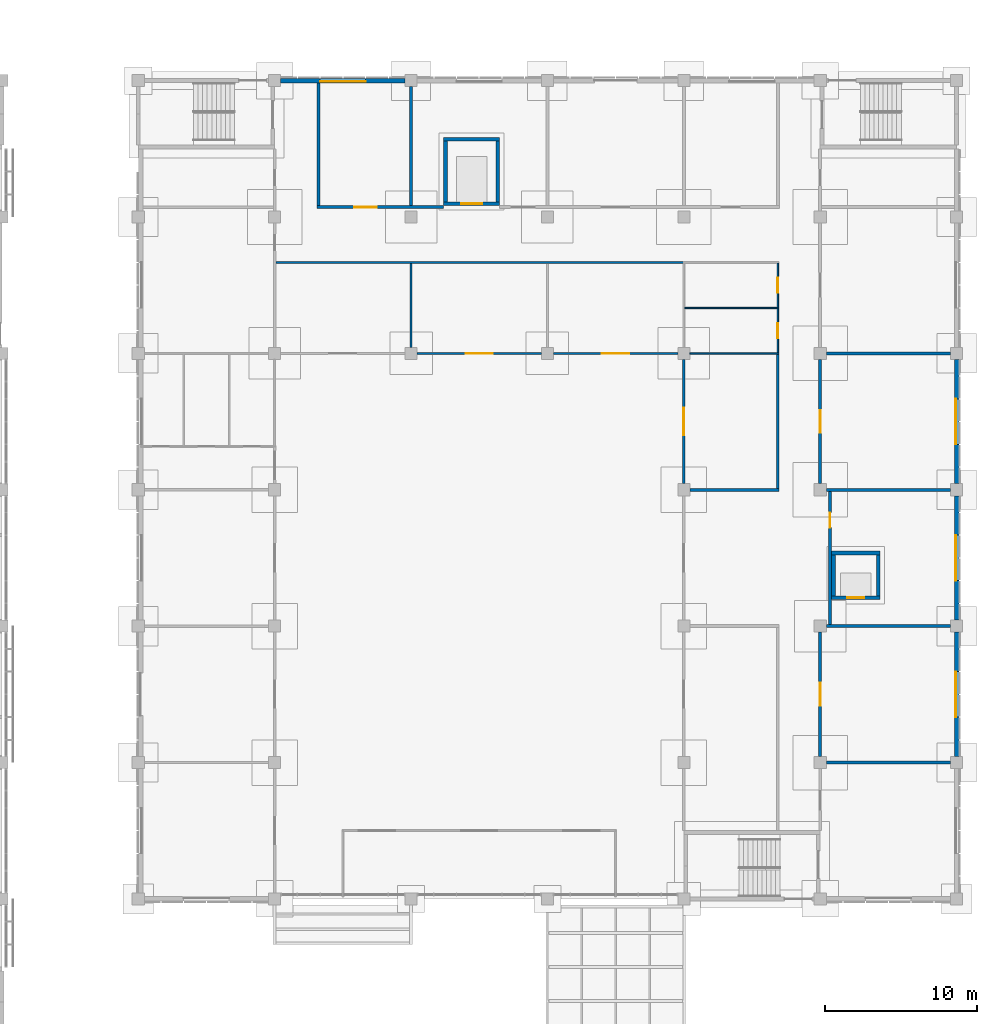
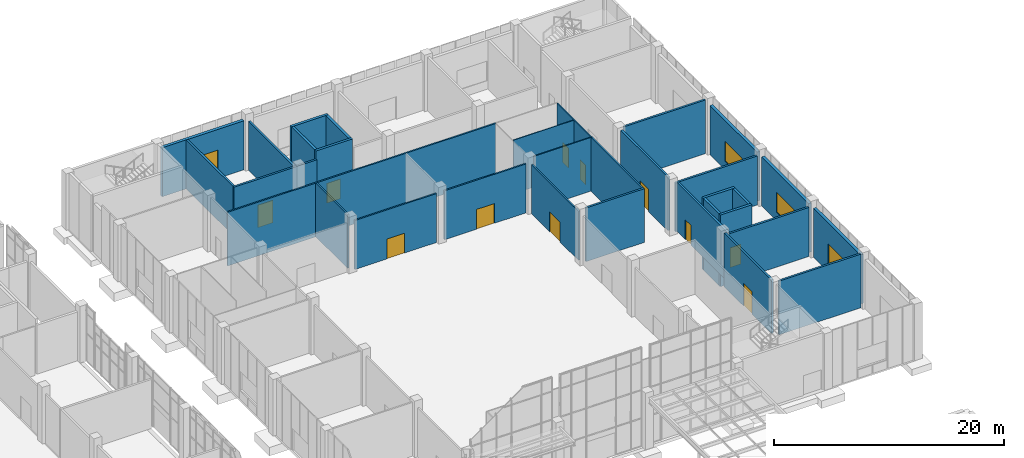
# One storey, part 63 of 86: 32 walls, 11 doors, 4 windows, 15 openings.
"""IFC4 building model written with IfcOpenShell, lengths in metres."""

from ifc_helpers import new_model, si_unit, direction, frame, frame_2d, origin, place, context, subcontext, project, spatial, rectangle, extrude, material, layer, layer_set, type_object, element, fill, save


model = new_model("IFC4")

# Units and contexts
model_context = context("Model", 3, precision=1e-05, world=origin(), true_north=direction((0.0, 1.0)))
body_context = subcontext(model_context, "Body", "Model", "MODEL_VIEW")
ifc_project = project(units=[si_unit("LENGTHUNIT", "METRE"), si_unit("AREAUNIT", "SQUARE_METRE"), si_unit("VOLUMEUNIT", "CUBIC_METRE"), si_unit("PLANEANGLEUNIT", "RADIAN"), si_unit("MASSUNIT", "GRAM", prefix="KILO")], contexts=[model_context])

# Site, building, storey
site_placement = place(None, origin())
site = spatial("IfcSite", under=ifc_project, at=site_placement, CompositionType="ELEMENT")
building_placement = place(site_placement, origin())
building = spatial("IfcBuilding", under=site, at=building_placement, Name="Guidao Yard Department Store", CompositionType="ELEMENT")
storey_placement = place(building_placement, origin())
storey = spatial("IfcBuildingStorey", under=building, at=storey_placement, Name="L00", CompositionType="ELEMENT", Elevation=0.0)

# Walls
ifc_material_1 = material(Name="Moisture-resistant board on Steel Q235 studs", Category="steel")
ifc_layer_1 = layer(ifc_material_1, 0.080078125)
ifc_layer_set_1 = layer_set([ifc_layer_1], Name="Cubicle Partition F6 80 mm moisture-resistant board")
wall_type_1 = type_object("IfcWallType", Name="Cubicle Partition F6 80 mm moisture-resistant board", PredefinedType="PARTITIONING", material=ifc_layer_set_1)
wall_1_placement = place(storey_placement, frame((153.050048828125, 93.0, 0.0), z_axis=(0.0, 0.0, 1.0), x_axis=(1.0, 0.0, 0.0)))
element("IfcWall", 1, at=wall_1_placement, inside=storey, type_object=wall_type_1, Name="Wall W-L00-3042", PredefinedType="PARTITIONING", context=body_context, shape_type="SweptSolid", body=[
    extrude(rectangle(XDim=6.099853515625, YDim=0.080078125, at=frame_2d((3.0498046875, 0.0))), origin(), (0.0, 0.0, 1.0), 5.699951171875),
])
ifc_material_2 = material(Name="Concrete block MU10", Category="concrete")
ifc_layer_2 = layer(ifc_material_2, 0.199951171875)
ifc_layer_set_2 = layer_set([ifc_layer_2], Name="Fire Wall F3 200 mm blockwork EI 120")
wall_type_2 = type_object("IfcWallType", Name="Fire Wall F3 200 mm blockwork EI 120", PredefinedType="PARTITIONING", material=ifc_layer_set_2)
wall_2_placement = place(storey_placement, frame((162.39990234375, 63.0, 0.0), z_axis=(0.0, 0.0, 1.0), x_axis=(1.0, 0.0, 0.0)))
element("IfcWall", 2, at=wall_2_placement, inside=storey, type_object=wall_type_2, Name="Wall W-L00-3008", PredefinedType="PARTITIONING", context=body_context, shape_type="SweptSolid", body=[
    extrude(rectangle(XDim=8.2001953125, YDim=0.199951171875, at=frame_2d((4.10009765625, 0.0))), origin(), (0.0, 0.0, 1.0), 5.699951171875),
])

# Wall, opening, door
wall_3_placement = place(storey_placement, frame((162.0, 63.39990234375, 0.0), z_axis=(0.0, 0.0, 1.0), x_axis=(0.0, 1.0, 0.0)))
wall_3 = element("IfcWall", 3, at=wall_3_placement, inside=storey, type_object=wall_type_2, Name="Wall W-L00-3012", PredefinedType="PARTITIONING", context=body_context, shape_type="SweptSolid", body=[
    extrude(rectangle(XDim=8.2001953125, YDim=0.199951171875, at=frame_2d((4.10009765625, 0.0))), origin(), (0.0, 0.0, 1.0), 5.699951171875),
])
opening_1_placement = place(wall_3_placement, frame((4.85009765625, 0.0, 0.0), z_axis=(0.0, 0.0, 1.0), x_axis=(-1.0, 0.0, 0.0)))
opening_1 = element("IfcOpeningElement", 4, at=opening_1_placement, cuts=wall_3, Name="Opening L00-308", PredefinedType="OPENING", context=body_context, shape_type="SweptSolid", body=[
    extrude(rectangle(XDim=1.5, YDim=2.39990234375, at=frame_2d((0.75, 1.199951171875))), frame((0.0, 0.10986328125, 0.0), z_axis=(0.0, -1.0, 0.0), x_axis=(1.0, 0.0, 0.0)), (0.0, 0.0, 1.0), 0.219970703125),
])
ifc_material_3 = material(Name="Stainless steel 06Cr19Ni10", Category="steel")
door_type_1 = type_object("IfcDoorType", Name="Door FF4 kitchen double 1500 x 2400 FD60", OperationType="DOUBLE_DOOR_SINGLE_SWING", PredefinedType="DOOR", material=ifc_material_3)
door_1_placement = place(opening_1_placement, origin())
door_1 = element("IfcDoor", 5, at=door_1_placement, inside=storey, type_object=door_type_1, Name="Door L00-308", OperationType="DOUBLE_DOOR_SINGLE_SWING", OverallHeight=2.39990234375, OverallWidth=1.5, PredefinedType="DOOR", context=body_context, shape_type="SweptSolid", body=[
    extrude(rectangle(XDim=1.5, YDim=2.39990234375, at=frame_2d((0.75, 1.199951171875))), frame((0.0, 0.02490234375, 0.0), z_axis=(0.0, -1.0, 0.0), x_axis=(1.0, 0.0, 0.0)), (0.0, 0.0, 1.0), 0.050048828125),
])
fill(opening_1, door_1)

# Wall
wall_4_placement = place(storey_placement, frame((162.39990234375, 72.0, 0.0), z_axis=(0.0, 0.0, 1.0), x_axis=(1.0, 0.0, 0.0)))
element("IfcWall", 6, at=wall_4_placement, inside=storey, type_object=wall_type_2, Name="Wall W-L00-3014", PredefinedType="PARTITIONING", context=body_context, shape_type="SweptSolid", body=[
    extrude(rectangle(XDim=8.2001953125, YDim=0.199951171875, at=frame_2d((4.10009765625, 0.0))), origin(), (0.0, 0.0, 1.0), 5.199951171875),
])

# Wall, opening, door
wall_5_placement = place(storey_placement, frame((162.64990234375, 72.10009765625, 0.0), z_axis=(0.0, 0.0, 1.0), x_axis=(0.0, 1.0, 0.0)))
wall_5 = element("IfcWall", 7, at=wall_5_placement, inside=storey, type_object=wall_type_2, Name="Wall W-L00-3016", PredefinedType="PARTITIONING", context=body_context, shape_type="SweptSolid", body=[
    extrude(rectangle(XDim=8.7998046875, YDim=0.199951171875, at=frame_2d((4.39990234375, 0.0))), origin(), (0.0, 0.0, 1.0), 5.199951171875),
])
opening_2_placement = place(wall_5_placement, frame((7.39990234375, 0.0, 0.0), z_axis=(0.0, 0.0, 1.0), x_axis=(-1.0, 0.0, 0.0)))
opening_2 = element("IfcOpeningElement", 8, at=opening_2_placement, cuts=wall_5, Name="Opening L00-311", PredefinedType="OPENING", context=body_context, shape_type="SweptSolid", body=[
    extrude(rectangle(XDim=1.0, YDim=2.10009765625, at=frame_2d((0.5, 1.050048828125))), frame((0.0, 0.10986328125, 0.0), z_axis=(0.0, -1.0, 0.0), x_axis=(1.0, 0.0, 0.0)), (0.0, 0.0, 1.0), 0.219970703125),
])
ifc_material_4 = material(Name="Steel Q235", Category="steel")
door_type_2 = type_object("IfcDoorType", Name="Door FF1 1000 x 2100 FD60", OperationType="SINGLE_SWING_LEFT", PredefinedType="DOOR", material=ifc_material_4)
door_2_placement = place(opening_2_placement, origin())
door_2 = element("IfcDoor", 9, at=door_2_placement, inside=storey, type_object=door_type_2, Name="Door L00-311", OperationType="SINGLE_SWING_LEFT", OverallHeight=2.10009765625, OverallWidth=1.0, PredefinedType="DOOR", context=body_context, shape_type="SweptSolid", body=[
    extrude(rectangle(XDim=1.0, YDim=2.10009765625, at=frame_2d((0.5, 1.050048828125))), frame((0.0, 0.02490234375, 0.0), z_axis=(0.0, -1.0, 0.0), x_axis=(1.0, 0.0, 0.0)), (0.0, 0.0, 1.0), 0.050048828125),
])
fill(opening_2, door_2)

# Walls
wall_6_placement = place(storey_placement, frame((153.39990234375, 81.0, 0.0), z_axis=(0.0, 0.0, 1.0), x_axis=(1.0, 0.0, 0.0)))
element("IfcWall", 10, at=wall_6_placement, inside=storey, type_object=wall_type_2, Name="Wall W-L00-3019", PredefinedType="PARTITIONING", context=body_context, shape_type="SweptSolid", body=[
    extrude(rectangle(XDim=5.875, YDim=0.199951171875, at=frame_2d((2.9375, 0.0))), origin(), (0.0, 0.0, 1.0), 5.699951171875),
])
wall_7_placement = place(storey_placement, frame((162.39990234375, 81.0, 0.0), z_axis=(0.0, 0.0, 1.0), x_axis=(1.0, 0.0, 0.0)))
element("IfcWall", 11, at=wall_7_placement, inside=storey, type_object=wall_type_2, Name="Wall W-L00-3020", PredefinedType="PARTITIONING", context=body_context, shape_type="SweptSolid", body=[
    extrude(rectangle(XDim=8.2001953125, YDim=0.199951171875, at=frame_2d((4.10009765625, 0.0))), origin(), (0.0, 0.0, 1.0), 5.199951171875),
])

# Wall, opening, door
wall_8_placement = place(storey_placement, frame((162.0, 81.39990234375, 0.0), z_axis=(0.0, 0.0, 1.0), x_axis=(0.0, 1.0, 0.0)))
wall_8 = element("IfcWall", 12, at=wall_8_placement, inside=storey, type_object=wall_type_2, Name="Wall W-L00-3025", PredefinedType="PARTITIONING", context=body_context, shape_type="SweptSolid", body=[
    extrude(rectangle(XDim=8.2001953125, YDim=0.199951171875, at=frame_2d((4.10009765625, 0.0))), origin(), (0.0, 0.0, 1.0), 5.699951171875),
])
opening_3_placement = place(wall_8_placement, frame((4.85009765625, 0.0, 0.0), z_axis=(0.0, 0.0, 1.0), x_axis=(-1.0, 0.0, 0.0)))
opening_3 = element("IfcOpeningElement", 13, at=opening_3_placement, cuts=wall_8, Name="Opening L00-317", PredefinedType="OPENING", context=body_context, shape_type="SweptSolid", body=[
    extrude(rectangle(XDim=1.5, YDim=2.39990234375, at=frame_2d((0.75, 1.199951171875))), frame((0.0, 0.10986328125, 0.0), z_axis=(0.0, -1.0, 0.0), x_axis=(1.0, 0.0, 0.0)), (0.0, 0.0, 1.0), 0.219970703125),
])
door_3_placement = place(opening_3_placement, origin())
door_3 = element("IfcDoor", 14, at=door_3_placement, inside=storey, type_object=door_type_1, Name="Door L00-317", OperationType="DOUBLE_DOOR_SINGLE_SWING", OverallHeight=2.39990234375, OverallWidth=1.5, PredefinedType="DOOR", context=body_context, shape_type="SweptSolid", body=[
    extrude(rectangle(XDim=1.5, YDim=2.39990234375, at=frame_2d((0.75, 1.199951171875))), frame((0.0, 0.02490234375, 0.0), z_axis=(0.0, -1.0, 0.0), x_axis=(1.0, 0.0, 0.0)), (0.0, 0.0, 1.0), 0.050048828125),
])
fill(opening_3, door_3)

# Wall
wall_9_placement = place(storey_placement, frame((162.39990234375, 90.0, 0.0), z_axis=(0.0, 0.0, 1.0), x_axis=(1.0, 0.0, 0.0)))
element("IfcWall", 15, at=wall_9_placement, inside=storey, type_object=wall_type_2, Name="Wall W-L00-3030", PredefinedType="PARTITIONING", context=body_context, shape_type="SweptSolid", body=[
    extrude(rectangle(XDim=8.2001953125, YDim=0.199951171875, at=frame_2d((4.10009765625, 0.0))), origin(), (0.0, 0.0, 1.0), 5.699951171875),
])

# Wall, opening, door
wall_10_placement = place(storey_placement, frame((128.800048828125, 99.64990234375, 0.0), z_axis=(0.0, 0.0, 1.0), x_axis=(1.0, 0.0, 0.0)))
wall_10 = element("IfcWall", 16, at=wall_10_placement, inside=storey, type_object=wall_type_2, Name="Wall W-L00-3047", PredefinedType="PARTITIONING", context=body_context, shape_type="SweptSolid", body=[
    extrude(rectangle(XDim=8.349853515625, YDim=0.199951171875, at=frame_2d((4.1748046875, 0.0))), origin(), (0.0, 0.0, 1.0), 5.199951171875),
])
opening_4_placement = place(wall_10_placement, frame((2.449951171875, 0.0, 0.0)))
opening_4 = element("IfcOpeningElement", 17, at=opening_4_placement, cuts=wall_10, Name="Opening L00-325", PredefinedType="OPENING", context=body_context, shape_type="SweptSolid", body=[
    extrude(rectangle(XDim=1.5, YDim=2.39990234375, at=frame_2d((0.75, 1.199951171875))), frame((0.0, 0.10986328125, 0.0), z_axis=(0.0, -1.0, 0.0), x_axis=(1.0, 0.0, 0.0)), (0.0, 0.0, 1.0), 0.219970703125),
])
door_4_placement = place(opening_4_placement, origin())
door_4 = element("IfcDoor", 18, at=door_4_placement, inside=storey, type_object=door_type_1, Name="Door L00-325", OperationType="DOUBLE_DOOR_SINGLE_SWING", OverallHeight=2.39990234375, OverallWidth=1.5, PredefinedType="DOOR", context=body_context, shape_type="SweptSolid", body=[
    extrude(rectangle(XDim=1.5, YDim=2.39990234375, at=frame_2d((0.75, 1.199951171875))), frame((0.0, 0.02490234375, 0.0), z_axis=(0.0, -1.0, 0.0), x_axis=(1.0, 0.0, 0.0)), (0.0, 0.0, 1.0), 0.050048828125),
])
fill(opening_4, door_4)

# Walls
wall_11_placement = place(storey_placement, frame((128.89990234375, 99.75, 0.0), z_axis=(0.0, 0.0, 1.0), x_axis=(0.0, 1.0, 0.0)))
element("IfcWall", 19, at=wall_11_placement, inside=storey, type_object=wall_type_2, Name="Wall W-L00-3051", PredefinedType="PARTITIONING", context=body_context, shape_type="SweptSolid", body=[
    extrude(rectangle(XDim=8.10009765625, YDim=0.199951171875, at=frame_2d((4.050048828125, 0.0))), origin(), (0.0, 0.0, 1.0), 5.199951171875),
])
wall_12_placement = place(storey_placement, frame((135.0, 99.75, 0.0), z_axis=(0.0, 0.0, 1.0), x_axis=(0.0, 1.0, 0.0)))
element("IfcWall", 20, at=wall_12_placement, inside=storey, type_object=wall_type_2, Name="Wall W-L00-3052", PredefinedType="PARTITIONING", context=body_context, shape_type="SweptSolid", body=[
    extrude(rectangle(XDim=7.85009765625, YDim=0.199951171875, at=frame_2d((3.925048828125, 0.0))), origin(), (0.0, 0.0, 1.0), 5.199951171875),
])

# Wall, opening, window
ifc_material_5 = material(Name="Concrete C30", Category="concrete")
ifc_layer_3 = layer(ifc_material_5, 0.300048828125)
ifc_layer_set_3 = layer_set([ifc_layer_3], Name="Food hall wall 300 C30")
wall_type_3 = type_object("IfcWallType", Name="Food hall wall 300 C30", PredefinedType="SOLIDWALL", material=ifc_layer_set_3)
wall_13_placement = place(storey_placement, frame((126.39990234375, 108.0, 0.0), z_axis=(0.0, 0.0, 1.0), x_axis=(1.0, 0.0, 0.0)))
wall_13 = element("IfcWall", 21, at=wall_13_placement, inside=storey, type_object=wall_type_3, Name="Food hall wall", PredefinedType="SOLIDWALL", context=body_context, shape_type="SweptSolid", body=[
    extrude(rectangle(XDim=8.2001953125, YDim=0.300048828125, at=frame_2d((4.10009765625, 0.0))), origin(), (0.0, 0.0, 1.0), 5.199951171875),
])
opening_5_placement = place(wall_13_placement, frame((2.60009765625, 0.0, 0.89990234375)))
opening_5 = element("IfcOpeningElement", 22, at=opening_5_placement, cuts=wall_13, Name="Opening WN-L00-E16", PredefinedType="OPENING", context=body_context, shape_type="SweptSolid", body=[
    extrude(rectangle(XDim=3.0, YDim=2.10009765625, at=frame_2d((1.5, 1.050048828125))), frame((0.0, 0.159912109375, 0.0), z_axis=(0.0, -1.0, 0.0), x_axis=(1.0, 0.0, 0.0)), (0.0, 0.0, 1.0), 0.320068359375),
])
ifc_material_6 = material(Name="Laminated glass in aluminium frame", Category="aluminium")
window_type = type_object("IfcWindowType", Name="Punched window PW2 3000 x 2100 fixed", PartitioningType="SINGLE_PANEL", PredefinedType="WINDOW", material=ifc_material_6)
window_1_placement = place(opening_5_placement, origin())
window_1 = element("IfcWindow", 23, at=window_1_placement, inside=storey, type_object=window_type, Name="Punched window", OverallHeight=2.10009765625, OverallWidth=3.0, PartitioningType="SINGLE_PANEL", PredefinedType="WINDOW", context=body_context, shape_type="SweptSolid", body=[
    extrude(rectangle(XDim=3.0, YDim=2.10009765625, at=frame_2d((1.5, 1.050048828125))), frame((0.0, -0.030029296875, 0.0), z_axis=(0.0, -1.0, 0.0), x_axis=(1.0, 0.0, 0.0)), (0.0, 0.0, 1.0), 0.06005859375),
])
fill(opening_5, window_1)

wall_14_placement = place(storey_placement, frame((171.0, 71.60009765625, 0.0), z_axis=(0.0, 0.0, 1.0), x_axis=(0.0, -1.0, 0.0)))
wall_14 = element("IfcWall", 24, at=wall_14_placement, inside=storey, type_object=wall_type_3, Name="Food hall wall", PredefinedType="SOLIDWALL", context=body_context, shape_type="SweptSolid", body=[
    extrude(rectangle(XDim=8.2001953125, YDim=0.300048828125, at=frame_2d((4.10009765625, 0.0))), origin(), (0.0, 0.0, 1.0), 5.199951171875),
])
opening_6_placement = place(wall_14_placement, frame((2.60009765625, 0.0, 0.89990234375)))
opening_6 = element("IfcOpeningElement", 25, at=opening_6_placement, cuts=wall_14, Name="Opening WN-L00-E20", PredefinedType="OPENING", context=body_context, shape_type="SweptSolid", body=[
    extrude(rectangle(XDim=3.0, YDim=2.10009765625, at=frame_2d((1.5, 1.050048828125))), frame((0.0, 0.159912109375, 0.0), z_axis=(0.0, -1.0, 0.0), x_axis=(1.0, 0.0, 0.0)), (0.0, 0.0, 1.0), 0.320068359375),
])
window_2_placement = place(opening_6_placement, origin())
window_2 = element("IfcWindow", 26, at=window_2_placement, inside=storey, type_object=window_type, Name="Punched window", OverallHeight=2.10009765625, OverallWidth=3.0, PartitioningType="SINGLE_PANEL", PredefinedType="WINDOW", context=body_context, shape_type="SweptSolid", body=[
    extrude(rectangle(XDim=3.0, YDim=2.10009765625, at=frame_2d((1.5, 1.050048828125))), frame((0.0, -0.030029296875, 0.0), z_axis=(0.0, -1.0, 0.0), x_axis=(1.0, 0.0, 0.0)), (0.0, 0.0, 1.0), 0.06005859375),
])
fill(opening_6, window_2)

wall_15_placement = place(storey_placement, frame((171.0, 80.60009765625, 0.0), z_axis=(0.0, 0.0, 1.0), x_axis=(0.0, -1.0, 0.0)))
wall_15 = element("IfcWall", 27, at=wall_15_placement, inside=storey, type_object=wall_type_3, Name="Food hall wall", PredefinedType="SOLIDWALL", context=body_context, shape_type="SweptSolid", body=[
    extrude(rectangle(XDim=8.2001953125, YDim=0.300048828125, at=frame_2d((4.10009765625, 0.0))), origin(), (0.0, 0.0, 1.0), 5.199951171875),
])
opening_7_placement = place(wall_15_placement, frame((2.60009765625, 0.0, 0.89990234375)))
opening_7 = element("IfcOpeningElement", 28, at=opening_7_placement, cuts=wall_15, Name="Opening WN-L00-E21", PredefinedType="OPENING", context=body_context, shape_type="SweptSolid", body=[
    extrude(rectangle(XDim=3.0, YDim=2.10009765625, at=frame_2d((1.5, 1.050048828125))), frame((0.0, 0.159912109375, 0.0), z_axis=(0.0, -1.0, 0.0), x_axis=(1.0, 0.0, 0.0)), (0.0, 0.0, 1.0), 0.320068359375),
])
window_3_placement = place(opening_7_placement, origin())
window_3 = element("IfcWindow", 29, at=window_3_placement, inside=storey, type_object=window_type, Name="Punched window", OverallHeight=2.10009765625, OverallWidth=3.0, PartitioningType="SINGLE_PANEL", PredefinedType="WINDOW", context=body_context, shape_type="SweptSolid", body=[
    extrude(rectangle(XDim=3.0, YDim=2.10009765625, at=frame_2d((1.5, 1.050048828125))), frame((0.0, -0.030029296875, 0.0), z_axis=(0.0, -1.0, 0.0), x_axis=(1.0, 0.0, 0.0)), (0.0, 0.0, 1.0), 0.06005859375),
])
fill(opening_7, window_3)

wall_16_placement = place(storey_placement, frame((171.0, 89.60009765625, 0.0), z_axis=(0.0, 0.0, 1.0), x_axis=(0.0, -1.0, 0.0)))
wall_16 = element("IfcWall", 30, at=wall_16_placement, inside=storey, type_object=wall_type_3, Name="Food hall wall", PredefinedType="SOLIDWALL", context=body_context, shape_type="SweptSolid", body=[
    extrude(rectangle(XDim=8.2001953125, YDim=0.300048828125, at=frame_2d((4.10009765625, 0.0))), origin(), (0.0, 0.0, 1.0), 5.199951171875),
])
opening_8_placement = place(wall_16_placement, frame((2.60009765625, 0.0, 0.89990234375)))
opening_8 = element("IfcOpeningElement", 31, at=opening_8_placement, cuts=wall_16, Name="Opening WN-L00-E22", PredefinedType="OPENING", context=body_context, shape_type="SweptSolid", body=[
    extrude(rectangle(XDim=3.0, YDim=2.10009765625, at=frame_2d((1.5, 1.050048828125))), frame((0.0, 0.159912109375, 0.0), z_axis=(0.0, -1.0, 0.0), x_axis=(1.0, 0.0, 0.0)), (0.0, 0.0, 1.0), 0.320068359375),
])
window_4_placement = place(opening_8_placement, origin())
window_4 = element("IfcWindow", 32, at=window_4_placement, inside=storey, type_object=window_type, Name="Punched window", OverallHeight=2.10009765625, OverallWidth=3.0, PartitioningType="SINGLE_PANEL", PredefinedType="WINDOW", context=body_context, shape_type="SweptSolid", body=[
    extrude(rectangle(XDim=3.0, YDim=2.10009765625, at=frame_2d((1.5, 1.050048828125))), frame((0.0, -0.030029296875, 0.0), z_axis=(0.0, -1.0, 0.0), x_axis=(1.0, 0.0, 0.0)), (0.0, 0.0, 1.0), 0.06005859375),
])
fill(opening_8, window_4)

# Wall
ifc_material_7 = material(Name="Gypsum board on Steel Q235 studs", Category="steel")
ifc_layer_4 = layer(ifc_material_7, 0.10009765625)
ifc_layer_set_4 = layer_set([ifc_layer_4], Name="Partition F1 100 mm gypsum board EI 30")
wall_type_4 = type_object("IfcWallType", Name="Partition F1 100 mm gypsum board EI 30", PredefinedType="PARTITIONING", material=ifc_layer_set_4)
wall_17_placement = place(storey_placement, frame((153.39990234375, 90.0, 0.0), z_axis=(0.0, 0.0, 1.0), x_axis=(1.0, 0.0, 0.0)))
element("IfcWall", 33, at=wall_17_placement, inside=storey, type_object=wall_type_4, Name="Wall W-L00-3035", PredefinedType="PARTITIONING", context=body_context, shape_type="SweptSolid", body=[
    extrude(rectangle(XDim=5.875, YDim=0.10009765625, at=frame_2d((2.9375, 0.0))), origin(), (0.0, 0.0, 1.0), 5.699951171875),
])

# Wall, openings, doors
wall_18_placement = place(storey_placement, frame((159.199951171875, 90.050048828125, 0.0), z_axis=(0.0, 0.0, 1.0), x_axis=(0.0, 1.0, 0.0)))
wall_18 = element("IfcWall", 34, at=wall_18_placement, inside=storey, type_object=wall_type_4, Name="Wall W-L00-3036", PredefinedType="PARTITIONING", context=body_context, shape_type="SweptSolid", body=[
    extrude(rectangle(XDim=5.89990234375, YDim=0.10009765625, at=frame_2d((2.949951171875, 0.0))), origin(), (0.0, 0.0, 1.0), 5.699951171875),
])
opening_9_placement = place(wall_18_placement, frame((0.949951171875, 0.0, 0.0)))
opening_9 = element("IfcOpeningElement", 35, at=opening_9_placement, cuts=wall_18, Name="Opening L00-321", PredefinedType="OPENING", context=body_context, shape_type="SweptSolid", body=[
    extrude(rectangle(XDim=1.0, YDim=2.10009765625, at=frame_2d((0.5, 1.050048828125))), frame((0.0, 0.06005859375, 0.0), z_axis=(0.0, -1.0, 0.0), x_axis=(1.0, 0.0, 0.0)), (0.0, 0.0, 1.0), 0.1201171875),
])
opening_10_placement = place(wall_18_placement, frame((3.949951171875, 0.0, 0.0)))
opening_10 = element("IfcOpeningElement", 36, at=opening_10_placement, cuts=wall_18, Name="Opening L00-322", PredefinedType="OPENING", context=body_context, shape_type="SweptSolid", body=[
    extrude(rectangle(XDim=1.0, YDim=2.10009765625, at=frame_2d((0.5, 1.050048828125))), frame((0.0, 0.06005859375, 0.0), z_axis=(0.0, -1.0, 0.0), x_axis=(1.0, 0.0, 0.0)), (0.0, 0.0, 1.0), 0.1201171875),
])
ifc_material_8 = material(Name="Timber door leaf", Category="wood")
door_type_3 = type_object("IfcDoorType", Name="Door FN1 1000 x 2100", OperationType="SINGLE_SWING_LEFT", PredefinedType="DOOR", material=ifc_material_8)
door_5_placement = place(opening_9_placement, origin())
door_5 = element("IfcDoor", 37, at=door_5_placement, inside=storey, type_object=door_type_3, Name="Door L00-321", OperationType="SINGLE_SWING_LEFT", OverallHeight=2.10009765625, OverallWidth=1.0, PredefinedType="DOOR", context=body_context, shape_type="SweptSolid", body=[
    extrude(rectangle(XDim=1.0, YDim=2.10009765625, at=frame_2d((0.5, 1.050048828125))), frame((0.0, 0.02490234375, 0.0), z_axis=(0.0, -1.0, 0.0), x_axis=(1.0, 0.0, 0.0)), (0.0, 0.0, 1.0), 0.050048828125),
])
fill(opening_9, door_5)
door_6_placement = place(opening_10_placement, origin())
door_6 = element("IfcDoor", 38, at=door_6_placement, inside=storey, type_object=door_type_3, Name="Door L00-322", OperationType="SINGLE_SWING_RIGHT", OverallHeight=2.10009765625, OverallWidth=1.0, PredefinedType="DOOR", context=body_context, shape_type="SweptSolid", body=[
    extrude(rectangle(XDim=1.0, YDim=2.10009765625, at=frame_2d((0.5, 1.050048828125))), frame((0.0, 0.02490234375, 0.0), z_axis=(0.0, -1.0, 0.0), x_axis=(1.0, 0.0, 0.0)), (0.0, 0.0, 1.0), 0.050048828125),
])
fill(opening_10, door_6)

# Wall, opening, door
ifc_material_9 = material(Name="Concrete block MU10", Category="concrete")
ifc_layer_5 = layer(ifc_material_9, 0.14990234375)
ifc_layer_set_5 = layer_set([ifc_layer_5], Name="Stall Front Wall F4 150 mm blockwork EI 60")
wall_type_5 = type_object("IfcWallType", Name="Stall Front Wall F4 150 mm blockwork EI 60", PredefinedType="PARTITIONING", material=ifc_layer_set_5)
wall_19_placement = place(storey_placement, frame((153.0, 81.39990234375, 0.0), z_axis=(0.0, 0.0, 1.0), x_axis=(0.0, 1.0, 0.0)))
wall_19 = element("IfcWall", 39, at=wall_19_placement, inside=storey, type_object=wall_type_5, Name="Wall W-L00-3024", PredefinedType="PARTITIONING", context=body_context, shape_type="SweptSolid", body=[
    extrude(rectangle(XDim=8.2001953125, YDim=0.14990234375, at=frame_2d((4.10009765625, 0.0))), origin(), (0.0, 0.0, 1.0), 5.199951171875),
])
opening_11_placement = place(wall_19_placement, frame((5.0, 0.0, 0.0), z_axis=(0.0, 0.0, 1.0), x_axis=(-1.0, 0.0, 0.0)))
opening_11 = element("IfcOpeningElement", 40, at=opening_11_placement, cuts=wall_19, Name="Opening L00-316", PredefinedType="OPENING", context=body_context, shape_type="SweptSolid", body=[
    extrude(rectangle(XDim=1.800048828125, YDim=2.10009765625, at=frame_2d((0.89990234375, 1.050048828125))), frame((0.0, 0.0849609375, 0.0), z_axis=(0.0, -1.0, 0.0), x_axis=(1.0, 0.0, 0.0)), (0.0, 0.0, 1.0), 0.169921875),
])
ifc_material_10 = material(Name="Timber door leaf", Category="wood")
door_type_4 = type_object("IfcDoorType", Name="Door FN2 double 1800 x 2100", OperationType="DOUBLE_DOOR_SINGLE_SWING", PredefinedType="DOOR", material=ifc_material_10)
door_7_placement = place(opening_11_placement, origin())
door_7 = element("IfcDoor", 41, at=door_7_placement, inside=storey, type_object=door_type_4, Name="Door L00-316", OperationType="DOUBLE_DOOR_SINGLE_SWING", OverallHeight=2.10009765625, OverallWidth=1.800048828125, PredefinedType="DOOR", context=body_context, shape_type="SweptSolid", body=[
    extrude(rectangle(XDim=1.800048828125, YDim=2.10009765625, at=frame_2d((0.89990234375, 1.050048828125))), frame((0.0, 0.02490234375, 0.0), z_axis=(0.0, -1.0, 0.0), x_axis=(1.0, 0.0, 0.0)), (0.0, 0.0, 1.0), 0.050048828125),
])
fill(opening_11, door_7)

wall_20_placement = place(storey_placement, frame((135.39990234375, 90.0, 0.0), z_axis=(0.0, 0.0, 1.0), x_axis=(1.0, 0.0, 0.0)))
wall_20 = element("IfcWall", 42, at=wall_20_placement, inside=storey, type_object=wall_type_5, Name="Wall W-L00-3032", PredefinedType="PARTITIONING", context=body_context, shape_type="SweptSolid", body=[
    extrude(rectangle(XDim=8.2001953125, YDim=0.14990234375, at=frame_2d((4.10009765625, 0.0))), origin(), (0.0, 0.0, 1.0), 5.199951171875),
])
opening_12_placement = place(wall_20_placement, frame((3.199951171875, 0.0, 0.0)))
opening_12 = element("IfcOpeningElement", 43, at=opening_12_placement, cuts=wall_20, Name="Opening L00-319", PredefinedType="OPENING", context=body_context, shape_type="SweptSolid", body=[
    extrude(rectangle(XDim=1.800048828125, YDim=2.10009765625, at=frame_2d((0.89990234375, 1.050048828125))), frame((0.0, 0.0849609375, 0.0), z_axis=(0.0, -1.0, 0.0), x_axis=(1.0, 0.0, 0.0)), (0.0, 0.0, 1.0), 0.169921875),
])
door_8_placement = place(opening_12_placement, origin())
door_8 = element("IfcDoor", 44, at=door_8_placement, inside=storey, type_object=door_type_4, Name="Door L00-319", OperationType="DOUBLE_DOOR_SINGLE_SWING", OverallHeight=2.10009765625, OverallWidth=1.800048828125, PredefinedType="DOOR", context=body_context, shape_type="SweptSolid", body=[
    extrude(rectangle(XDim=1.800048828125, YDim=2.10009765625, at=frame_2d((0.89990234375, 1.050048828125))), frame((0.0, 0.02490234375, 0.0), z_axis=(0.0, -1.0, 0.0), x_axis=(1.0, 0.0, 0.0)), (0.0, 0.0, 1.0), 0.050048828125),
])
fill(opening_12, door_8)

wall_21_placement = place(storey_placement, frame((144.39990234375, 90.0, 0.0), z_axis=(0.0, 0.0, 1.0), x_axis=(1.0, 0.0, 0.0)))
wall_21 = element("IfcWall", 45, at=wall_21_placement, inside=storey, type_object=wall_type_5, Name="Wall W-L00-3033", PredefinedType="PARTITIONING", context=body_context, shape_type="SweptSolid", body=[
    extrude(rectangle(XDim=8.2001953125, YDim=0.14990234375, at=frame_2d((4.10009765625, 0.0))), origin(), (0.0, 0.0, 1.0), 5.199951171875),
])
opening_13_placement = place(wall_21_placement, frame((3.199951171875, 0.0, 0.0)))
opening_13 = element("IfcOpeningElement", 46, at=opening_13_placement, cuts=wall_21, Name="Opening L00-320", PredefinedType="OPENING", context=body_context, shape_type="SweptSolid", body=[
    extrude(rectangle(XDim=1.800048828125, YDim=2.10009765625, at=frame_2d((0.89990234375, 1.050048828125))), frame((0.0, 0.0849609375, 0.0), z_axis=(0.0, -1.0, 0.0), x_axis=(1.0, 0.0, 0.0)), (0.0, 0.0, 1.0), 0.169921875),
])
door_9_placement = place(opening_13_placement, origin())
door_9 = element("IfcDoor", 47, at=door_9_placement, inside=storey, type_object=door_type_4, Name="Door L00-320", OperationType="DOUBLE_DOOR_SINGLE_SWING", OverallHeight=2.10009765625, OverallWidth=1.800048828125, PredefinedType="DOOR", context=body_context, shape_type="SweptSolid", body=[
    extrude(rectangle(XDim=1.800048828125, YDim=2.10009765625, at=frame_2d((0.89990234375, 1.050048828125))), frame((0.0, 0.02490234375, 0.0), z_axis=(0.0, -1.0, 0.0), x_axis=(1.0, 0.0, 0.0)), (0.0, 0.0, 1.0), 0.050048828125),
])
fill(opening_13, door_9)

# Walls
ifc_material_11 = material(Name="Concrete block MU10", Category="concrete")
ifc_layer_6 = layer(ifc_material_11, 0.14990234375)
ifc_layer_set_6 = layer_set([ifc_layer_6], Name="Wall F2 150 mm blockwork EI 60")
wall_type_6 = type_object("IfcWallType", Name="Wall F2 150 mm blockwork EI 60", PredefinedType="PARTITIONING", material=ifc_layer_set_6)
wall_22_placement = place(storey_placement, frame((159.199951171875, 81.10009765625, 0.0), z_axis=(0.0, 0.0, 1.0), x_axis=(0.0, 1.0, 0.0)))
element("IfcWall", 48, at=wall_22_placement, inside=storey, type_object=wall_type_6, Name="Wall W-L00-3022", PredefinedType="PARTITIONING", context=body_context, shape_type="SweptSolid", body=[
    extrude(rectangle(XDim=8.849853515625, YDim=0.14990234375, at=frame_2d((4.4248046875, 0.0))), origin(), (0.0, 0.0, 1.0), 5.699951171875),
])
wall_23_placement = place(storey_placement, frame((135.0, 90.39990234375, 0.0), z_axis=(0.0, 0.0, 1.0), x_axis=(0.0, 1.0, 0.0)))
element("IfcWall", 49, at=wall_23_placement, inside=storey, type_object=wall_type_6, Name="Wall W-L00-3038", PredefinedType="PARTITIONING", context=body_context, shape_type="SweptSolid", body=[
    extrude(rectangle(XDim=5.525146484375, YDim=0.14990234375, at=frame_2d((2.7626953125, 0.0))), origin(), (0.0, 0.0, 1.0), 5.699951171875),
])
wall_24_placement = place(storey_placement, frame((126.074951171875, 96.0, 0.0), z_axis=(0.0, 0.0, 1.0), x_axis=(1.0, 0.0, 0.0)))
element("IfcWall", 50, at=wall_24_placement, inside=storey, type_object=wall_type_6, Name="Wall W-L00-3043", PredefinedType="PARTITIONING", context=body_context, shape_type="SweptSolid", body=[
    extrude(rectangle(XDim=26.97509765625, YDim=0.14990234375, at=frame_2d((13.487548828125, 0.0))), origin(), (0.0, 0.0, 1.0), 5.699951171875),
])

# Wall, opening, door
ifc_material_12 = material(Name="Concrete C40", Category="concrete")
ifc_layer_7 = layer(ifc_material_12, 0.25)
ifc_layer_set_7 = layer_set([ifc_layer_7], Name="Wall RC 250 C40 stair and shaft")
wall_type_7 = type_object("IfcWallType", Name="Wall RC 250 C40 stair and shaft", PredefinedType="SHEAR", material=ifc_layer_set_7)
wall_25_placement = place(storey_placement, frame((162.75, 73.875, -1.60009765625), z_axis=(0.0, 0.0, 1.0), x_axis=(1.0, 0.0, 0.0)))
wall_25 = element("IfcWall", 51, at=wall_25_placement, inside=storey, type_object=wall_type_7, Name="Lift shaft wall FL1", PredefinedType="SHEAR", context=body_context, shape_type="SweptSolid", body=[
    extrude(rectangle(XDim=3.199951171875, YDim=0.25, at=frame_2d((1.60009765625, 0.0))), origin(), (0.0, 0.0, 1.0), 7.60009765625),
])
opening_14_placement = place(wall_25_placement, frame((1.050048828125, 0.0, 1.60009765625)))
opening_14 = element("IfcOpeningElement", 52, at=opening_14_placement, cuts=wall_25, Name="Opening LD-FL1-L00", PredefinedType="OPENING", context=body_context, shape_type="SweptSolid", body=[
    extrude(rectangle(XDim=1.10009765625, YDim=2.10009765625, at=frame_2d((0.550048828125, 1.050048828125))), frame((0.0, 0.135009765625, 0.0), z_axis=(0.0, -1.0, 0.0), x_axis=(1.0, 0.0, 0.0)), (0.0, 0.0, 1.0), 0.27001953125),
])
ifc_material_13 = material(Name="Stainless steel 06Cr19Ni10", Category="steel")
door_type_5 = type_object("IfcDoorType", Name="Lift landing door fire-resisting sliding 1100 x 2100", OperationType="DOUBLE_DOOR_SLIDING", PredefinedType="DOOR", material=ifc_material_13)
door_10_placement = place(opening_14_placement, origin())
door_10 = element("IfcDoor", 53, at=door_10_placement, inside=storey, type_object=door_type_5, Name="Lift landing door FL1 L00", OperationType="DOUBLE_DOOR_SLIDING", OverallHeight=2.10009765625, OverallWidth=1.10009765625, PredefinedType="DOOR", context=body_context, shape_type="SweptSolid", body=[
    extrude(rectangle(XDim=1.10009765625, YDim=2.10009765625, at=frame_2d((0.550048828125, 1.050048828125))), frame((0.0, 0.02490234375, 0.0), z_axis=(0.0, -1.0, 0.0), x_axis=(1.0, 0.0, 0.0)), (0.0, 0.0, 1.0), 0.050048828125),
])
fill(opening_14, door_10)

# Walls
wall_26_placement = place(storey_placement, frame((162.75, 76.824951171875, -1.60009765625), z_axis=(0.0, 0.0, 1.0), x_axis=(1.0, 0.0, 0.0)))
element("IfcWall", 54, at=wall_26_placement, inside=storey, type_object=wall_type_7, Name="Lift shaft wall FL1", PredefinedType="SHEAR", context=body_context, shape_type="SweptSolid", body=[
    extrude(rectangle(XDim=3.199951171875, YDim=0.25, at=frame_2d((1.60009765625, 0.0))), origin(), (0.0, 0.0, 1.0), 7.60009765625),
])
for number, where, z_axis, x_axis, name in (
    (55, (162.875, 74.0, -1.60009765625), (0.0, 0.0, 1.0), (0.0, 1.0, 0.0), "Lift shaft wall FL1"),
    (56, (165.824951171875, 74.0, -1.60009765625), (0.0, 0.0, 1.0), (0.0, 1.0, 0.0), "Lift shaft wall FL1"),
):
    element("IfcWall", number, at=place(storey_placement, frame(where, z_axis=z_axis, x_axis=x_axis)), inside=storey, type_object=wall_type_7, Name=name, PredefinedType="SHEAR", context=body_context, shape_type="SweptSolid", body=[
        extrude(rectangle(XDim=2.699951171875, YDim=0.25, at=frame_2d((1.35009765625, 0.0))), origin(), (0.0, 0.0, 1.0), 7.60009765625),
    ])

# Wall, opening, door
wall_27_placement = place(storey_placement, frame((137.14990234375, 99.875, -1.60009765625), z_axis=(0.0, 0.0, 1.0), x_axis=(1.0, 0.0, 0.0)))
wall_27 = element("IfcWall", 57, at=wall_27_placement, inside=storey, type_object=wall_type_7, Name="Lift shaft wall FG1", PredefinedType="SHEAR", context=body_context, shape_type="SweptSolid", body=[
    extrude(rectangle(XDim=3.7001953125, YDim=0.25, at=frame_2d((1.85009765625, 0.0))), origin(), (0.0, 0.0, 1.0), 7.60009765625),
])
opening_15_placement = place(wall_27_placement, frame((1.14990234375, 0.0, 1.60009765625)))
opening_15 = element("IfcOpeningElement", 58, at=opening_15_placement, cuts=wall_27, Name="Opening LD-FG1-L00", PredefinedType="OPENING", context=body_context, shape_type="SweptSolid", body=[
    extrude(rectangle(XDim=1.39990234375, YDim=2.10009765625, at=frame_2d((0.699951171875, 1.050048828125))), frame((0.0, 0.135009765625, 0.0), z_axis=(0.0, -1.0, 0.0), x_axis=(1.0, 0.0, 0.0)), (0.0, 0.0, 1.0), 0.27001953125),
])
ifc_material_14 = material(Name="Stainless steel 06Cr19Ni10", Category="steel")
door_type_6 = type_object("IfcDoorType", Name="Lift landing door fire-resisting sliding 1400 x 2100", OperationType="DOUBLE_DOOR_SLIDING", PredefinedType="DOOR", material=ifc_material_14)
door_11_placement = place(opening_15_placement, origin())
door_11 = element("IfcDoor", 59, at=door_11_placement, inside=storey, type_object=door_type_6, Name="Lift landing door FG1 L00", OperationType="DOUBLE_DOOR_SLIDING", OverallHeight=2.10009765625, OverallWidth=1.39990234375, PredefinedType="DOOR", context=body_context, shape_type="SweptSolid", body=[
    extrude(rectangle(XDim=1.39990234375, YDim=2.10009765625, at=frame_2d((0.699951171875, 1.050048828125))), frame((0.0, 0.02490234375, 0.0), z_axis=(0.0, -1.0, 0.0), x_axis=(1.0, 0.0, 0.0)), (0.0, 0.0, 1.0), 0.050048828125),
])
fill(opening_15, door_11)

# Walls
wall_28_placement = place(storey_placement, frame((137.14990234375, 104.125, -1.60009765625), z_axis=(0.0, 0.0, 1.0), x_axis=(1.0, 0.0, 0.0)))
element("IfcWall", 60, at=wall_28_placement, inside=storey, type_object=wall_type_7, Name="Lift shaft wall FG1", PredefinedType="SHEAR", context=body_context, shape_type="SweptSolid", body=[
    extrude(rectangle(XDim=3.7001953125, YDim=0.25, at=frame_2d((1.85009765625, 0.0))), origin(), (0.0, 0.0, 1.0), 7.60009765625),
])
for number, where, z_axis, x_axis, name in (
    (61, (137.27490234375, 100.0, -1.60009765625), (0.0, 0.0, 1.0), (0.0, 1.0, 0.0), "Lift shaft wall FG1"),
    (62, (140.72509765625, 100.0, -1.60009765625), (0.0, 0.0, 1.0), (0.0, 1.0, 0.0), "Lift shaft wall FG1"),
):
    element("IfcWall", number, at=place(storey_placement, frame(where, z_axis=z_axis, x_axis=x_axis)), inside=storey, type_object=wall_type_7, Name=name, PredefinedType="SHEAR", context=body_context, shape_type="SweptSolid", body=[
        extrude(rectangle(XDim=4.0, YDim=0.25, at=frame_2d((2.0, 0.0))), origin(), (0.0, 0.0, 1.0), 7.60009765625),
    ])

save(model, "model.ifc")
